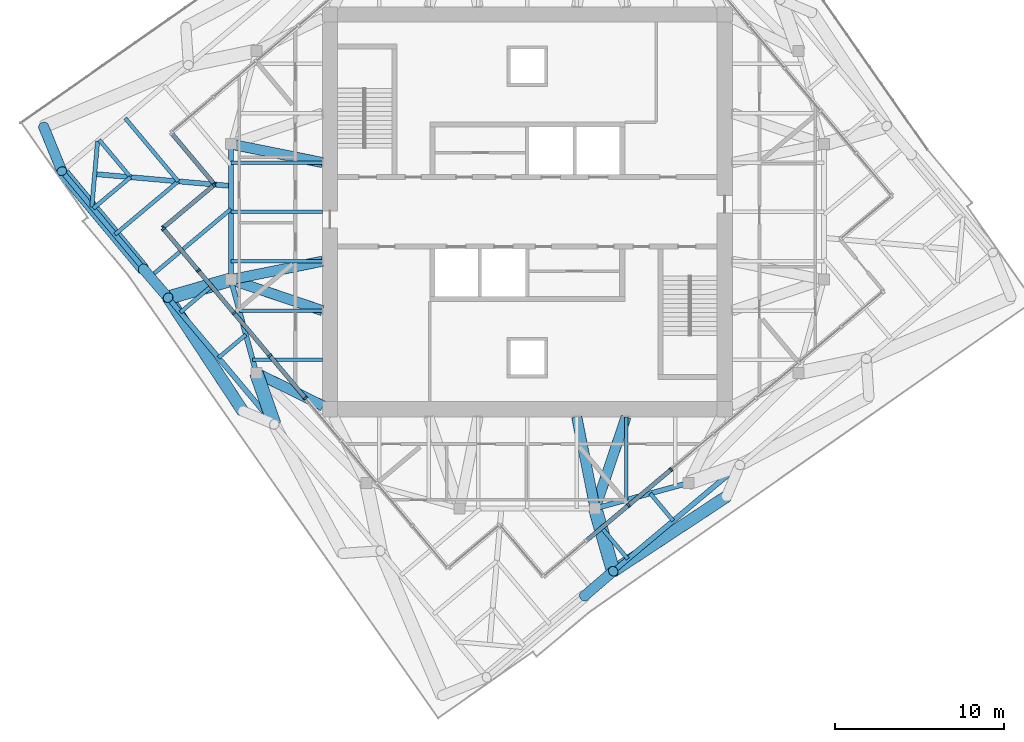
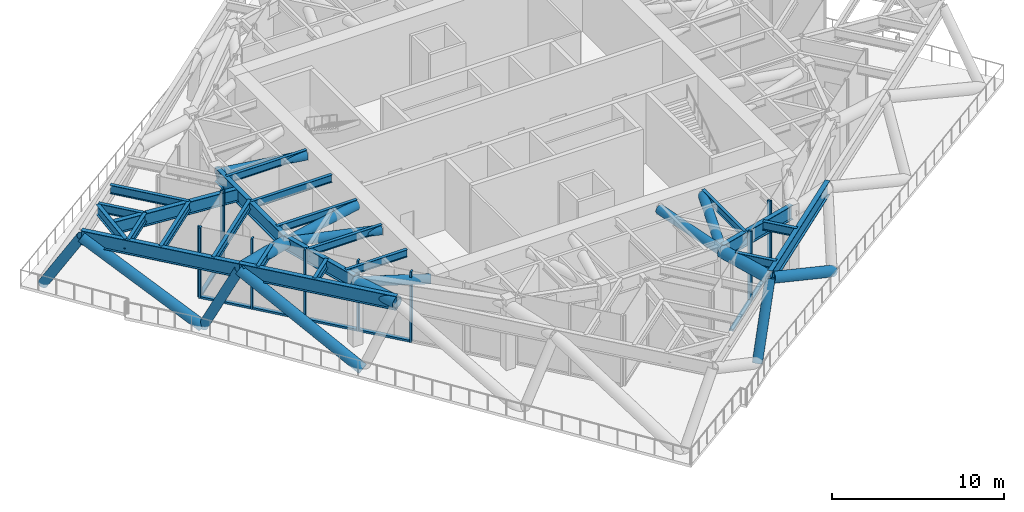
# One storey, part 2 of 15: 33 members, 23 beams, 4 elements without a shape of their own.
"""IFC4 building model written with IfcOpenShell, lengths in metres."""

from ifc_helpers import new_model, si_unit, direction, frame, origin, origin_2d, place, context, subcontext, project, spatial, rectangle, hollow_circle, i_section, extrude, material, material_profile, profile_set, type_object, element, aggregate, save


model = new_model("IFC4")

# Units and contexts
model_context = context("Model", 3, precision=1e-05, world=origin(), true_north=direction((0.0, 1.0)))
body_context = subcontext(model_context, "Body", "Model", "MODEL_VIEW")
ifc_project = project(units=[si_unit("LENGTHUNIT", "METRE"), si_unit("AREAUNIT", "SQUARE_METRE"), si_unit("VOLUMEUNIT", "CUBIC_METRE"), si_unit("PLANEANGLEUNIT", "RADIAN"), si_unit("MASSUNIT", "GRAM", prefix="KILO")], contexts=[model_context])

# Site, building, storey
site_placement = place(None, origin())
site = spatial("IfcSite", under=ifc_project, at=site_placement, CompositionType="ELEMENT")
building_placement = place(site_placement, origin())
building = spatial("IfcBuilding", under=site, at=building_placement, Name="Torsade Residences", CompositionType="ELEMENT")
storey_placement = place(building_placement, frame((0.0, 0.0, 267.60009765625)))
storey = spatial("IfcBuildingStorey", under=building, at=storey_placement, Name="L74", CompositionType="ELEMENT", Elevation=267.60009765625)

# Beams
ifc_material_1 = material(Name="Steel grade 300", Category="steel")
ifc_material_profile_1 = material_profile(ifc_material_1, i_section(OverallWidth=0.300048828125, OverallDepth=0.89990234375, WebThickness=0.011962890625, FlangeThickness=0.02490234375, at=origin_2d()), Name="900WB175")
ifc_profile_set_1 = profile_set([ifc_material_profile_1], Name="Steel grade 300")
beam_type_1 = type_object("IfcBeamType", Name="CORNER GIRDER 900WB175", PredefinedType="BEAM", material=ifc_profile_set_1)
beam_1_placement = place(storey_placement, frame((14.46484375, 32.234130859375, 4.39990234375), z_axis=(0.996193191806, -0.087172957961, 0.0), x_axis=(0.087172957961, 0.996193191806, 0.0)))
element("IfcBeam", 1, at=beam_1_placement, inside=storey, type_object=beam_type_1, Name="Corner girder 13 L75", PredefinedType="BEAM", context=body_context, shape_type="SweptSolid", body=[
    extrude(i_section(OverallWidth=0.300048828125, OverallDepth=0.89990234375, WebThickness=0.011962890625, FlangeThickness=0.02490234375, at=origin_2d()), origin(), (0.0, 0.0, 1.0), 8.06591796875),
])
ifc_material_2 = material(Name="Steel grade 300", Category="steel")
ifc_material_profile_2 = material_profile(ifc_material_2, i_section(OverallWidth=0.25, OverallDepth=0.699951171875, WebThickness=0.010009765625, FlangeThickness=0.02001953125, at=origin_2d()), Name="700WB130")
ifc_profile_set_2 = profile_set([ifc_material_profile_2], Name="Steel grade 300")
beam_type_2 = type_object("IfcBeamType", Name="CORNER TRIMMER 700WB130", PredefinedType="BEAM", material=ifc_profile_set_2)
beam_2_placement = place(storey_placement, frame((14.29541015625, 30.296875, 4.5), z_axis=(0.087133464362, 0.996196646947, 0.0), x_axis=(-0.996196646947, 0.087133464362, 0.0)))
element("IfcBeam", 2, at=beam_2_placement, inside=storey, type_object=beam_type_2, Name="Corner trimmer 13 L75", PredefinedType="BEAM", context=body_context, shape_type="SweptSolid", body=[
    extrude(i_section(OverallWidth=0.25, OverallDepth=0.699951171875, WebThickness=0.010009765625, FlangeThickness=0.02001953125, at=origin_2d()), origin(), (0.0, 0.0, 1.0), 3.88916015625),
])

# Curtain wall, members
ifc_material_3 = material(Name="Aluminium and glass", Category="aluminium")
curtain_wall_type = type_object("IfcCurtainWallType", Name="TRANSFER LEVEL CURTAIN WALL HIGH ZONE", PredefinedType="NOTDEFINED", material=ifc_material_3)
curtain_wall_1_placement = place(storey_placement, origin())
curtain_wall_1 = element("IfcCurtainWall", 3, at=curtain_wall_1_placement, inside=storey, type_object=curtain_wall_type, Name="Curtain wall L74 face 1", PredefinedType="NOTDEFINED")
ifc_material_4 = material(Name="Aluminium mullion", Category="aluminium")
ifc_material_profile_3 = material_profile(ifc_material_4, rectangle(XDim=0.25, YDim=0.1201171875, at=origin_2d()), Name="HIGH ZONE TRANSFER CURTAIN WALL MULLION 250x120")
ifc_profile_set_3 = profile_set([ifc_material_profile_3], Name="Aluminium mullion")
member_type_1 = type_object("IfcMemberType", Name="HIGH ZONE TRANSFER CURTAIN WALL MULLION 250x120", PredefinedType="MULLION", material=ifc_profile_set_3)
member_1_placement = place(storey_placement, frame((45.97412109375, 12.6904296875, 0.0), z_axis=(0.0, 0.0, 1.0), x_axis=(-0.642787631413, 0.766044424888, 0.0)))
member_1 = element("IfcMember", 4, at=member_1_placement, type_object=member_type_1, Name="Mullion 3", PredefinedType="MULLION", context=body_context, shape_type="SweptSolid", body=[
    extrude(rectangle(XDim=0.25, YDim=0.1201171875, at=origin_2d()), origin(), (0.0, 0.0, 1.0), 5.0),
])
member_2_placement = place(storey_placement, frame((48.48291015625, 14.79541015625, 0.0), z_axis=(0.0, 0.0, 1.0), x_axis=(-0.642787631413, 0.766044424888, 0.0)))
member_2 = element("IfcMember", 5, at=member_2_placement, type_object=member_type_1, Name="Mullion 4", PredefinedType="MULLION", context=body_context, shape_type="SweptSolid", body=[
    extrude(rectangle(XDim=0.25, YDim=0.1201171875, at=origin_2d()), origin(), (0.0, 0.0, 1.0), 5.0),
])

# Curtain wall, member
curtain_wall_2_placement = place(storey_placement, origin())
curtain_wall_2 = element("IfcCurtainWall", 6, at=curtain_wall_2_placement, inside=storey, type_object=curtain_wall_type, Name="Curtain wall L74 face 8", PredefinedType="NOTDEFINED")
member_3_placement = place(storey_placement, frame((21.505615234375, 31.66064453125, 0.0), z_axis=(0.0, 0.0, 1.0), x_axis=(0.766044417338, 0.642787640411, 0.0)))
member_3 = element("IfcMember", 7, at=member_3_placement, type_object=member_type_1, Name="Mullion 2", PredefinedType="MULLION", context=body_context, shape_type="SweptSolid", body=[
    extrude(rectangle(XDim=0.25, YDim=0.1201171875, at=origin_2d()), origin(), (0.0, 0.0, 1.0), 5.0),
])

# Curtain wall, members
curtain_wall_3_placement = place(storey_placement, origin())
curtain_wall_3 = element("IfcCurtainWall", 8, at=curtain_wall_3_placement, inside=storey, type_object=curtain_wall_type, Name="Curtain wall L74 face 9", PredefinedType="NOTDEFINED")
member_4_placement = place(storey_placement, frame((21.498291015625, 31.576171875, 0.0), z_axis=(0.0, 0.0, 1.0), x_axis=(0.642787664022, -0.766044397526, 0.0)))
member_4 = element("IfcMember", 9, at=member_4_placement, type_object=member_type_1, Name="Mullion 1", PredefinedType="MULLION", context=body_context, shape_type="SweptSolid", body=[
    extrude(rectangle(XDim=0.25, YDim=0.1201171875, at=origin_2d()), origin(), (0.0, 0.0, 1.0), 5.0),
])
member_5_placement = place(storey_placement, frame((18.526123046875, 29.08203125, 0.0), z_axis=(0.0, 0.0, 1.0), x_axis=(0.642787664022, -0.766044397526, 0.0)))
member_5 = element("IfcMember", 10, at=member_5_placement, type_object=member_type_1, Name="Mullion 2", PredefinedType="MULLION", context=body_context, shape_type="SweptSolid", body=[
    extrude(rectangle(XDim=0.25, YDim=0.1201171875, at=origin_2d()), origin(), (0.0, 0.0, 1.0), 5.0),
])

curtain_wall_4_placement = place(storey_placement, origin())
curtain_wall_4 = element("IfcCurtainWall", 11, at=curtain_wall_4_placement, inside=storey, type_object=curtain_wall_type, Name="Curtain wall L74 face 10", PredefinedType="NOTDEFINED")
member_6_placement = place(storey_placement, frame((18.518798828125, 28.99755859375, 0.0), z_axis=(0.0, 0.0, 1.0), x_axis=(0.766044424888, 0.642787631413, 0.0)))
member_6 = element("IfcMember", 12, at=member_6_placement, type_object=member_type_1, Name="Mullion 1", PredefinedType="MULLION", context=body_context, shape_type="SweptSolid", body=[
    extrude(rectangle(XDim=0.25, YDim=0.1201171875, at=origin_2d()), origin(), (0.0, 0.0, 1.0), 5.0),
])
member_7_placement = place(storey_placement, frame((20.585205078125, 26.53466796875, 0.0), z_axis=(0.0, 0.0, 1.0), x_axis=(0.766044424888, 0.642787631413, 0.0)))
member_7 = element("IfcMember", 13, at=member_7_placement, type_object=member_type_1, Name="Mullion 2", PredefinedType="MULLION", context=body_context, shape_type="SweptSolid", body=[
    extrude(rectangle(XDim=0.25, YDim=0.1201171875, at=origin_2d()), origin(), (0.0, 0.0, 1.0), 5.0),
])
member_8_placement = place(storey_placement, frame((22.6904296875, 24.02587890625, 0.0), z_axis=(0.0, 0.0, 1.0), x_axis=(0.766044424888, 0.642787631413, 0.0)))
member_8 = element("IfcMember", 14, at=member_8_placement, type_object=member_type_1, Name="Mullion 3", PredefinedType="MULLION", context=body_context, shape_type="SweptSolid", body=[
    extrude(rectangle(XDim=0.25, YDim=0.1201171875, at=origin_2d()), origin(), (0.0, 0.0, 1.0), 5.0),
])
member_9_placement = place(storey_placement, frame((24.79541015625, 21.51708984375, 0.0), z_axis=(0.0, 0.0, 1.0), x_axis=(0.766044424888, 0.642787631413, 0.0)))
member_9 = element("IfcMember", 15, at=member_9_placement, type_object=member_type_1, Name="Mullion 4", PredefinedType="MULLION", context=body_context, shape_type="SweptSolid", body=[
    extrude(rectangle(XDim=0.25, YDim=0.1201171875, at=origin_2d()), origin(), (0.0, 0.0, 1.0), 5.0),
])
member_10_placement = place(storey_placement, frame((26.900634765625, 19.00830078125, 0.0), z_axis=(0.0, 0.0, 1.0), x_axis=(0.766044424888, 0.642787631413, 0.0)))
member_10 = element("IfcMember", 16, at=member_10_placement, type_object=member_type_1, Name="Mullion 5", PredefinedType="MULLION", context=body_context, shape_type="SweptSolid", body=[
    extrude(rectangle(XDim=0.25, YDim=0.1201171875, at=origin_2d()), origin(), (0.0, 0.0, 1.0), 5.0),
])

# Member
ifc_material_5 = material(Name="Aluminium transom", Category="aluminium")
ifc_material_profile_4 = material_profile(ifc_material_5, rectangle(XDim=0.25, YDim=0.139892578125, at=origin_2d()), Name="HIGH ZONE TRANSFER CURTAIN WALL TRANSOM 250x140")
ifc_profile_set_4 = profile_set([ifc_material_profile_4], Name="Aluminium transom")
member_type_2 = type_object("IfcMemberType", Name="HIGH ZONE TRANSFER CURTAIN WALL TRANSOM 250x140", PredefinedType="USERDEFINED", material=ifc_profile_set_4)
member_11_placement = place(storey_placement, frame((43.51123046875, 10.623779296875, 0.06982421875), z_axis=(0.766047733122, 0.642783688793, 0.0), x_axis=(-0.642783688793, 0.766047733122, 0.0)))
member_11 = element("IfcMember", 17, at=member_11_placement, type_object=member_type_2, Name="Transom 2.1", ObjectType="TRANSOM", PredefinedType="USERDEFINED", context=body_context, shape_type="SweptSolid", body=[
    extrude(rectangle(XDim=0.25, YDim=0.139892578125, at=origin_2d()), origin(), (0.0, 0.0, 1.0), 3.155029296875),
])

member_12_placement = place(storey_placement, frame((46.02001953125, 12.72900390625, 0.06982421875), z_axis=(0.766085835105, 0.642738277412, 0.0), x_axis=(-0.642738277412, 0.766085835105, 0.0)))
member_12 = element("IfcMember", 18, at=member_12_placement, type_object=member_type_2, Name="Transom 3.1", ObjectType="TRANSOM", PredefinedType="USERDEFINED", context=body_context, shape_type="SweptSolid", body=[
    extrude(rectangle(XDim=0.25, YDim=0.139892578125, at=origin_2d()), origin(), (0.0, 0.0, 1.0), 3.155029296875),
])

aggregate(curtain_wall_1, [member_1, member_2, member_11, member_12])

member_13_placement = place(storey_placement, frame((19.05029296875, 34.5869140625, 0.06982421875), z_axis=(0.642799137433, -0.766034770044, 0.0), x_axis=(0.766034770044, 0.642799137433, 0.0)))
member_13 = element("IfcMember", 19, at=member_13_placement, type_object=member_type_2, Name="Transom 1.1", ObjectType="TRANSOM", PredefinedType="USERDEFINED", context=body_context, shape_type="SweptSolid", body=[
    extrude(rectangle(XDim=0.25, YDim=0.139892578125, at=origin_2d()), origin(), (0.0, 0.0, 1.0), 3.760009765625),
])

aggregate(curtain_wall_2, [member_3, member_13])

member_14_placement = place(storey_placement, frame((21.452392578125, 31.53759765625, 0.06982421875), z_axis=(-0.766034770044, -0.642799137433, 0.0), x_axis=(0.642799137433, -0.766034770044, 0.0)))
member_14 = element("IfcMember", 20, at=member_14_placement, type_object=member_type_2, Name="Transom 1.1", ObjectType="TRANSOM", PredefinedType="USERDEFINED", context=body_context, shape_type="SweptSolid", body=[
    extrude(rectangle(XDim=0.25, YDim=0.139892578125, at=origin_2d()), origin(), (0.0, 0.0, 1.0), 3.760009765625),
])

aggregate(curtain_wall_3, [member_4, member_5, member_14])

member_15_placement = place(storey_placement, frame((18.557373046875, 28.95166015625, 0.06982421875), z_axis=(0.642725782483, -0.766096318051, 0.0), x_axis=(0.766096318051, 0.642725782483, 0.0)))
member_15 = element("IfcMember", 21, at=member_15_placement, type_object=member_type_2, Name="Transom 1.1", ObjectType="TRANSOM", PredefinedType="USERDEFINED", context=body_context, shape_type="SweptSolid", body=[
    extrude(rectangle(XDim=0.25, YDim=0.139892578125, at=origin_2d()), origin(), (0.0, 0.0, 1.0), 3.094970703125),
])

member_16_placement = place(storey_placement, frame((20.623779296875, 26.48876953125, 0.06982421875), z_axis=(0.642783688793, -0.766047733122, 0.0), x_axis=(0.766047733122, 0.642783688793, 0.0)))
member_16 = element("IfcMember", 22, at=member_16_placement, type_object=member_type_2, Name="Transom 2.1", ObjectType="TRANSOM", PredefinedType="USERDEFINED", context=body_context, shape_type="SweptSolid", body=[
    extrude(rectangle(XDim=0.25, YDim=0.139892578125, at=origin_2d()), origin(), (0.0, 0.0, 1.0), 3.155029296875),
])

member_17_placement = place(storey_placement, frame((22.72900390625, 23.97998046875, 0.06982421875), z_axis=(0.642738277412, -0.766085835105, 0.0), x_axis=(0.766085835105, 0.642738277412, 0.0)))
member_17 = element("IfcMember", 23, at=member_17_placement, type_object=member_type_2, Name="Transom 3.1", ObjectType="TRANSOM", PredefinedType="USERDEFINED", context=body_context, shape_type="SweptSolid", body=[
    extrude(rectangle(XDim=0.25, YDim=0.139892578125, at=origin_2d()), origin(), (0.0, 0.0, 1.0), 3.155029296875),
])

member_18_placement = place(storey_placement, frame((24.833984375, 21.47119140625, 0.06982421875), z_axis=(0.642783688793, -0.766047733122, 0.0), x_axis=(0.766047733122, 0.642783688793, 0.0)))
member_18 = element("IfcMember", 24, at=member_18_placement, type_object=member_type_2, Name="Transom 4.1", ObjectType="TRANSOM", PredefinedType="USERDEFINED", context=body_context, shape_type="SweptSolid", body=[
    extrude(rectangle(XDim=0.25, YDim=0.139892578125, at=origin_2d()), origin(), (0.0, 0.0, 1.0), 3.155029296875),
])

aggregate(curtain_wall_4, [member_6, member_7, member_8, member_9, member_10, member_15, member_16, member_17, member_18])

# Beams
ifc_material_6 = material(Name="Steel grade 300", Category="steel")
ifc_material_profile_5 = material_profile(ifc_material_6, i_section(OverallWidth=0.208984375, OverallDepth=0.528076171875, WebThickness=0.009521484375, FlangeThickness=0.01318359375, FilletRadius=0.013916015625, at=origin_2d()), Name="530UB82.0")
ifc_profile_set_5 = profile_set([ifc_material_profile_5], Name="Steel grade 300")
beam_type_3 = type_object("IfcBeamType", Name="INNER FLOOR BEAM 530UB82.0", PredefinedType="JOIST", material=ifc_profile_set_5)
beam_3_placement = place(storey_placement, frame((45.824951171875, 17.89990234375, 4.5859375), z_axis=(0.0, -1.0, 0.0), x_axis=(1.0, 0.0, 0.0)))
element("IfcBeam", 25, at=beam_3_placement, inside=storey, type_object=beam_type_3, Name="Inner floor beam IS02 L75", PredefinedType="JOIST", context=body_context, shape_type="SweptSolid", body=[
    extrude(i_section(OverallWidth=0.208984375, OverallDepth=0.528076171875, WebThickness=0.009521484375, FlangeThickness=0.01318359375, FilletRadius=0.013916015625, at=origin_2d()), origin(), (0.0, 0.0, 1.0), 4.902099609375),
])
for number, where, z_axis, x_axis, name in (
    (26, (27.89990234375, 32.91259765625, 4.5859375), (-1.0, 0.0, 0.0), (0.0, -1.0, 0.0), "Inner floor beam IW03 L75"),
    (27, (27.89990234375, 30.0, 4.5859375), (-1.0, 0.0, 0.0), (0.0, -1.0, 0.0), "Inner floor beam IW04 L75"),
    (28, (27.89990234375, 27.08740234375, 4.5859375), (-1.0, 0.0, 0.0), (0.0, -1.0, 0.0), "Inner floor beam IW05 L75"),
):
    element("IfcBeam", number, at=place(storey_placement, frame(where, z_axis=z_axis, x_axis=x_axis)), inside=storey, type_object=beam_type_3, Name=name, PredefinedType="JOIST", context=body_context, shape_type="SweptSolid", body=[
        extrude(i_section(OverallWidth=0.208984375, OverallDepth=0.528076171875, WebThickness=0.009521484375, FlangeThickness=0.01318359375, FilletRadius=0.013916015625, at=origin_2d()), origin(), (0.0, 0.0, 1.0), 5.39990234375),
    ])
beam_4_placement = place(storey_placement, frame((27.89990234375, 24.175048828125, 4.5859375), z_axis=(-1.0, 0.0, 0.0), x_axis=(0.0, -1.0, 0.0)))
element("IfcBeam", 29, at=beam_4_placement, inside=storey, type_object=beam_type_3, Name="Inner floor beam IW06 L75", PredefinedType="JOIST", context=body_context, shape_type="SweptSolid", body=[
    extrude(i_section(OverallWidth=0.208984375, OverallDepth=0.528076171875, WebThickness=0.009521484375, FlangeThickness=0.01318359375, FilletRadius=0.013916015625, at=origin_2d()), origin(), (0.0, 0.0, 1.0), 4.902099609375),
])
beam_5_placement = place(storey_placement, frame((27.89990234375, 21.262451171875, 4.5859375), z_axis=(-1.0, 0.0, 0.0), x_axis=(0.0, -1.0, 0.0)))
element("IfcBeam", 30, at=beam_5_placement, inside=storey, type_object=beam_type_3, Name="Inner floor beam IW07 L75", PredefinedType="JOIST", context=body_context, shape_type="SweptSolid", body=[
    extrude(i_section(OverallWidth=0.208984375, OverallDepth=0.528076171875, WebThickness=0.009521484375, FlangeThickness=0.01318359375, FilletRadius=0.013916015625, at=origin_2d()), origin(), (0.0, 0.0, 1.0), 4.10791015625),
])
ifc_material_7 = material(Name="Steel grade 300", Category="steel")
ifc_material_profile_6 = material_profile(ifc_material_7, i_section(OverallWidth=0.300048828125, OverallDepth=1.0, WebThickness=0.01611328125, FlangeThickness=0.028076171875, at=origin_2d()), Name="1000WB215")
ifc_profile_set_6 = profile_set([ifc_material_profile_6], Name="Steel grade 300")
beam_type_4 = type_object("IfcBeamType", Name="RING GIRDER 1000WB215", PredefinedType="BEAM", material=ifc_profile_set_6)
beam_6_placement = place(storey_placement, frame((22.5, 34.0, 4.349853515625), z_axis=(0.0, -1.0, 0.0), x_axis=(1.0, 0.0, 0.0)))
element("IfcBeam", 31, at=beam_6_placement, inside=storey, type_object=beam_type_4, Name="Ring girder IR09 L75", PredefinedType="BEAM", context=body_context, shape_type="SweptSolid", body=[
    extrude(i_section(OverallWidth=0.300048828125, OverallDepth=1.0, WebThickness=0.01611328125, FlangeThickness=0.028076171875, at=origin_2d()), origin(), (0.0, 0.0, 1.0), 8.0),
])
for number, where, z_axis, x_axis, name in (
    (32, (22.5, 26.0, 4.349853515625), (0.263117405792, -0.964763821238, 0.0), (0.964763821238, 0.263117405792, 0.0), "Ring girder IR10 L75"),
    (33, (44.0, 12.5, 4.349853515625), (0.964763821238, 0.263117405792, 0.0), (-0.263117405792, 0.964763821238, 0.0), "Ring girder IR14 L75"),
):
    element("IfcBeam", number, at=place(storey_placement, frame(where, z_axis=z_axis, x_axis=x_axis)), inside=storey, type_object=beam_type_4, Name=name, PredefinedType="BEAM", context=body_context, shape_type="SweptSolid", body=[
        extrude(i_section(OverallWidth=0.300048828125, OverallDepth=1.0, WebThickness=0.01611328125, FlangeThickness=0.028076171875, at=origin_2d()), origin(), (0.0, 0.0, 1.0), 5.700927734375),
    ])
ifc_material_8 = material(Name="Steel grade 300", Category="steel")
ifc_material_profile_7 = material_profile(ifc_material_8, i_section(OverallWidth=0.22900390625, OverallDepth=0.612060546875, WebThickness=0.011962890625, FlangeThickness=0.01953125, FilletRadius=0.013916015625, at=origin_2d()), Name="610UB125")
ifc_profile_set_7 = profile_set([ifc_material_profile_7], Name="Steel grade 300")
beam_type_5 = type_object("IfcBeamType", Name="SECONDARY BEAM 610UB125", PredefinedType="JOIST", material=ifc_profile_set_7)
beam_7_placement = place(storey_placement, frame((45.92724609375, 9.51806640625, 4.5439453125), z_axis=(-0.642751024148, 0.766075140542, 0.0), x_axis=(-0.766075140542, -0.642751024148, 0.0)))
element("IfcBeam", 34, at=beam_7_placement, inside=storey, type_object=beam_type_5, Name="Floor beam FS04 L75", PredefinedType="JOIST", context=body_context, shape_type="SweptSolid", body=[
    extrude(i_section(OverallWidth=0.22900390625, OverallDepth=0.612060546875, WebThickness=0.011962890625, FlangeThickness=0.01953125, FilletRadius=0.013916015625, at=origin_2d()), origin(), (0.0, 0.0, 1.0), 2.531982421875),
])
beam_8_placement = place(storey_placement, frame((48.6083984375, 11.767822265625, 4.5439453125), z_axis=(-0.642771977004, 0.766057560226, 0.0), x_axis=(-0.766057560226, -0.642771977004, 0.0)))
element("IfcBeam", 35, at=beam_8_placement, inside=storey, type_object=beam_type_5, Name="Floor beam FS05 L75", PredefinedType="JOIST", context=body_context, shape_type="SweptSolid", body=[
    extrude(i_section(OverallWidth=0.22900390625, OverallDepth=0.612060546875, WebThickness=0.011962890625, FlangeThickness=0.01953125, FilletRadius=0.013916015625, at=origin_2d()), origin(), (0.0, 0.0, 1.0), 2.113037109375),
])
beam_9_placement = place(storey_placement, frame((16.26220703125, 35.537109375, 4.5439453125), z_axis=(0.642791490223, -0.766041186946, 0.0), x_axis=(0.766041186946, 0.642791490223, 0.0)))
element("IfcBeam", 36, at=beam_9_placement, inside=storey, type_object=beam_type_5, Name="Floor beam FN11 L75", PredefinedType="JOIST", context=body_context, shape_type="SweptSolid", body=[
    extrude(i_section(OverallWidth=0.22900390625, OverallDepth=0.612060546875, WebThickness=0.011962890625, FlangeThickness=0.01953125, FilletRadius=0.013916015625, at=origin_2d()), origin(), (0.0, 0.0, 1.0), 4.875),
])
for number, where, z_axis, x_axis, name in (
    (37, (14.730224609375, 34.25146484375, 4.5439453125), (0.642761807001, -0.766066093402, 0.0), (0.766066093402, 0.642761807001, 0.0), "Floor beam FN12 L75"),
    (38, (14.375732421875, 30.201171875, 4.5439453125), (0.766066093402, 0.642761807001, 0.0), (-0.642761807001, 0.766066093402, 0.0), "Floor beam FW01 L75"),
):
    element("IfcBeam", number, at=place(storey_placement, frame(where, z_axis=z_axis, x_axis=x_axis)), inside=storey, type_object=beam_type_5, Name=name, PredefinedType="JOIST", context=body_context, shape_type="SweptSolid", body=[
        extrude(i_section(OverallWidth=0.22900390625, OverallDepth=0.612060546875, WebThickness=0.011962890625, FlangeThickness=0.01953125, FilletRadius=0.013916015625, at=origin_2d()), origin(), (0.0, 0.0, 1.0), 2.875),
    ])
beam_10_placement = place(storey_placement, frame((15.661376953125, 28.6689453125, 4.5439453125), z_axis=(0.766016526982, 0.642820877376, 0.0), x_axis=(-0.642820877376, 0.766016526982, 0.0)))
element("IfcBeam", 39, at=beam_10_placement, inside=storey, type_object=beam_type_5, Name="Floor beam FW02 L75", PredefinedType="JOIST", context=body_context, shape_type="SweptSolid", body=[
    extrude(i_section(OverallWidth=0.22900390625, OverallDepth=0.612060546875, WebThickness=0.011962890625, FlangeThickness=0.01953125, FilletRadius=0.013916015625, at=origin_2d()), origin(), (0.0, 0.0, 1.0), 4.875),
])
beam_11_placement = place(storey_placement, frame((17.75048828125, 26.179443359375, 4.5439453125), z_axis=(0.766041422722, 0.642791209238, 0.0), x_axis=(-0.642791209238, 0.766041422722, 0.0)))
element("IfcBeam", 40, at=beam_11_placement, inside=storey, type_object=beam_type_5, Name="Floor beam FW03 L75", PredefinedType="JOIST", context=body_context, shape_type="SweptSolid", body=[
    extrude(i_section(OverallWidth=0.22900390625, OverallDepth=0.612060546875, WebThickness=0.011962890625, FlangeThickness=0.01953125, FilletRadius=0.013916015625, at=origin_2d()), origin(), (0.0, 0.0, 1.0), 6.199951171875),
])
beam_12_placement = place(storey_placement, frame((19.51806640625, 24.07275390625, 4.5439453125), z_axis=(0.766075140542, 0.642751024148, 0.0), x_axis=(-0.642751024148, 0.766075140542, 0.0)))
element("IfcBeam", 41, at=beam_12_placement, inside=storey, type_object=beam_type_5, Name="Floor beam FW04 L75", PredefinedType="JOIST", context=body_context, shape_type="SweptSolid", body=[
    extrude(i_section(OverallWidth=0.22900390625, OverallDepth=0.612060546875, WebThickness=0.011962890625, FlangeThickness=0.01953125, FilletRadius=0.013916015625, at=origin_2d()), origin(), (0.0, 0.0, 1.0), 2.531982421875),
])
beam_13_placement = place(storey_placement, frame((21.767822265625, 21.3916015625, 4.5439453125), z_axis=(0.766057560226, 0.642771977004, 0.0), x_axis=(-0.642771977004, 0.766057560226, 0.0)))
element("IfcBeam", 42, at=beam_13_placement, inside=storey, type_object=beam_type_5, Name="Floor beam FW05 L75", PredefinedType="JOIST", context=body_context, shape_type="SweptSolid", body=[
    extrude(i_section(OverallWidth=0.22900390625, OverallDepth=0.612060546875, WebThickness=0.011962890625, FlangeThickness=0.01953125, FilletRadius=0.013916015625, at=origin_2d()), origin(), (0.0, 0.0, 1.0), 2.113037109375),
])

# Members
ifc_material_9 = material(Name="Steel grade 450", Category="steel")
ifc_material_profile_8 = material_profile(ifc_material_9, hollow_circle(Radius=0.304931640625, WallThickness=0.01611328125, at=origin_2d()), Name="610.0x16.0CHS")
ifc_profile_set_8 = profile_set([ifc_material_profile_8], Name="Steel grade 450")
member_type_3 = type_object("IfcMemberType", Name="TRANSFER FLOOR BRACE 610.0x16.0CHS", PredefinedType="BRACE", material=ifc_profile_set_8)
for number, where, z_axis, x_axis, name in (
    (43, (22.5, 34.0, 4.349853515625), (0.980201418973, -0.197387517864, 0.015599552377), (0.197411538983, 0.980320704809, 0.0), "Transfer floor brace TT8 top IR09IW03"),
    (44, (22.5, 26.0, 4.349853515625), (0.980201418973, 0.197387517864, 0.015599552377), (-0.197411538983, 0.980320704809, 0.0), "Transfer floor brace TT8 top IR10IW05"),
):
    element("IfcMember", number, at=place(storey_placement, frame(where, z_axis=z_axis, x_axis=x_axis)), inside=storey, type_object=member_type_3, Name=name, PredefinedType="BRACE", context=body_context, shape_type="SweptSolid", body=[
        extrude(hollow_circle(Radius=0.304931640625, WallThickness=0.01611328125, at=origin_2d()), origin(), (0.0, 0.0, 1.0), 5.509033203125),
    ])
member_19_placement = place(storey_placement, frame((22.5, 26.0, 4.349853515625), z_axis=(0.947252495944, -0.320133484365, 0.01507518214), x_axis=(0.320169867513, 0.947360151124, 0.0)))
element("IfcMember", 45, at=member_19_placement, inside=storey, type_object=member_type_3, Name="Transfer floor brace TT8 top IR10IW06", PredefinedType="BRACE", context=body_context, shape_type="SweptSolid", body=[
    extrude(hollow_circle(Radius=0.304931640625, WallThickness=0.01611328125, at=origin_2d()), origin(), (0.0, 0.0, 1.0), 5.70068359375),
])
member_20_placement = place(storey_placement, frame((24.0, 20.5, 4.349853515625), z_axis=(0.896469701914, -0.443105036702, 0.0), x_axis=(0.443105036702, 0.896469701914, 0.0)))
element("IfcMember", 46, at=member_20_placement, inside=storey, type_object=member_type_3, Name="Transfer floor brace TT8 top IR11C", PredefinedType="BRACE", context=body_context, shape_type="SweptSolid", body=[
    extrude(hollow_circle(Radius=0.304931640625, WallThickness=0.01611328125, at=origin_2d()), origin(), (0.0, 0.0, 1.0), 4.40234375),
])
member_21_placement = place(storey_placement, frame((44.0, 12.5, 4.349853515625), z_axis=(-0.197387517864, 0.980201418973, 0.015599552377), x_axis=(-0.980320704809, -0.197411538983, 0.0)))
element("IfcMember", 47, at=member_21_placement, inside=storey, type_object=member_type_3, Name="Transfer floor brace TT8 top IR14IS03", PredefinedType="BRACE", context=body_context, shape_type="SweptSolid", body=[
    extrude(hollow_circle(Radius=0.304931640625, WallThickness=0.01611328125, at=origin_2d()), origin(), (0.0, 0.0, 1.0), 5.509033203125),
])
member_22_placement = place(storey_placement, frame((44.0, 12.5, 4.349853515625), z_axis=(0.320133484365, 0.947252495944, 0.01507518214), x_axis=(-0.947360151124, 0.320169867513, 0.0)))
element("IfcMember", 48, at=member_22_placement, inside=storey, type_object=member_type_3, Name="Transfer floor brace TT8 top IR14IS02", PredefinedType="BRACE", context=body_context, shape_type="SweptSolid", body=[
    extrude(hollow_circle(Radius=0.304931640625, WallThickness=0.01611328125, at=origin_2d()), origin(), (0.0, 0.0, 1.0), 5.70068359375),
])
ifc_material_10 = material(Name="Steel grade 450", Category="steel")
ifc_material_profile_9 = material_profile(ifc_material_10, hollow_circle(Radius=0.406494140625, WallThickness=0.02490234375, at=origin_2d()), Name="813.0x25.0CHS")
ifc_profile_set_9 = profile_set([ifc_material_profile_9], Name="Steel grade 450")
member_type_4 = type_object("IfcMemberType", Name="TRANSFER FLOOR STRUT 813.0x25.0CHS", PredefinedType="STRUT", material=ifc_profile_set_9)
for number, where, z_axis, x_axis, name in (
    (49, (45.0654296875, 8.794921875, 4.349853515625), (-0.276360067688, 0.961054167561, 0.0), (-0.961054167561, -0.276360067688, 0.0), "Transfer floor strut TT8 top 02IR14"),
    (50, (18.794921875, 24.9345703125, 4.349853515625), (0.961054167561, 0.276360067688, 0.0), (-0.276360067688, 0.961054167561, 0.0), "Transfer floor strut TT8 top 14IR10"),
):
    element("IfcMember", number, at=place(storey_placement, frame(where, z_axis=z_axis, x_axis=x_axis)), inside=storey, type_object=member_type_4, Name=name, PredefinedType="STRUT", context=body_context, shape_type="SweptSolid", body=[
        extrude(hollow_circle(Radius=0.406494140625, WallThickness=0.02490234375, at=origin_2d()), origin(), (0.0, 0.0, 1.0), 3.855224609375),
    ])
member_23_placement = place(storey_placement, frame((25.06201171875, 17.465576171875, 4.349853515625), z_axis=(-0.330340276786, 0.943861908085, 0.0), x_axis=(-0.943861908085, -0.330340276786, 0.0)))
element("IfcMember", 51, at=member_23_placement, inside=storey, type_object=member_type_4, Name="Transfer floor strut TT8 top 15IR11", PredefinedType="STRUT", context=body_context, shape_type="SweptSolid", body=[
    extrude(hollow_circle(Radius=0.406494140625, WallThickness=0.02490234375, at=origin_2d()), origin(), (0.0, 0.0, 1.0), 3.21484375),
])

# Beams
ifc_material_11 = material(Name="Steel grade 300", Category="steel")
ifc_material_profile_10 = material_profile(ifc_material_11, i_section(OverallWidth=0.300048828125, OverallDepth=1.0, WebThickness=0.01611328125, FlangeThickness=0.028076171875, at=origin_2d()), Name="1000WB215")
ifc_profile_set_10 = profile_set([ifc_material_profile_10], Name="Steel grade 300")
beam_type_6 = type_object("IfcBeamType", Name="TRANSFER TRUSS CHORD 1000WB215", PredefinedType="USERDEFINED", material=ifc_profile_set_10)
for number, where, z_axis, x_axis, name in (
    (52, (45.0654296875, 8.794921875, 4.349853515625), (0.766051532934, 0.642779160279, 0.0), (-0.642779160279, 0.766051532934, 0.0), "Transfer truss TT8 top chord 02"),
    (53, (12.52783203125, 32.403564453125, 4.349853515625), (0.642779160279, -0.766051532934, 0.0), (0.766051532934, 0.642779160279, 0.0), "Transfer truss TT8 top chord 13"),
    (54, (18.794921875, 24.9345703125, 4.349853515625), (0.642779160279, -0.766051532934, 0.0), (0.766051532934, 0.642779160279, 0.0), "Transfer truss TT8 top chord 14"),
):
    element("IfcBeam", number, at=place(storey_placement, frame(where, z_axis=z_axis, x_axis=x_axis)), inside=storey, type_object=beam_type_6, Name=name, ObjectType="TRANSFER TRUSS CHORD", PredefinedType="USERDEFINED", context=body_context, shape_type="SweptSolid", body=[
        extrude(i_section(OverallWidth=0.300048828125, OverallDepth=1.0, WebThickness=0.01611328125, FlangeThickness=0.028076171875, at=origin_2d()), origin(), (0.0, 0.0, 1.0), 9.75),
    ])

# Members
ifc_material_12 = material(Name="Steel grade 450", Category="steel")
ifc_material_profile_11 = material_profile(ifc_material_12, hollow_circle(Radius=0.35546875, WallThickness=0.02001953125, at=origin_2d()), Name="711.0x20.0CHS")
ifc_profile_set_11 = profile_set([ifc_material_profile_11], Name="Steel grade 450")
member_type_5 = type_object("IfcMemberType", Name="TRANSFER TRUSS DIAGONAL 711.0x20.0CHS", PredefinedType="BRACE", material=ifc_profile_set_11)
member_24_placement = place(storey_placement, frame((51.75830078125, 13.207275390625, -0.2001953125), z_axis=(-0.726087611725, -0.478681746797, 0.493619859186), x_axis=(0.550412761868, -0.834892682668, 0.0)))
element("IfcMember", 55, at=member_24_placement, inside=storey, type_object=member_type_5, Name="Transfer truss TT8 diagonal 02", PredefinedType="BRACE", context=body_context, shape_type="SweptSolid", body=[
    extrude(hollow_circle(Radius=0.35546875, WallThickness=0.02001953125, at=origin_2d()), origin(), (0.0, 0.0, 1.0), 9.2177734375),
])
member_25_placement = place(storey_placement, frame((17.328125, 26.637939453125, -0.2001953125), z_axis=(-0.547086115712, 0.65710434893, 0.518565961679), x_axis=(-0.768509277568, -0.639838643951, 0.0)))
element("IfcMember", 56, at=member_25_placement, inside=storey, type_object=member_type_5, Name="Transfer truss TT8 diagonal 13", PredefinedType="BRACE", context=body_context, shape_type="SweptSolid", body=[
    extrude(hollow_circle(Radius=0.35546875, WallThickness=0.02001953125, at=origin_2d()), origin(), (0.0, 0.0, 1.0), 8.774169921875),
])
member_26_placement = place(storey_placement, frame((23.207275390625, 18.24169921875, -0.2001953125), z_axis=(-0.478681746797, 0.726087611725, 0.493619859186), x_axis=(-0.834892682668, -0.550412761868, 0.0)))
element("IfcMember", 57, at=member_26_placement, inside=storey, type_object=member_type_5, Name="Transfer truss TT8 diagonal 14", PredefinedType="BRACE", context=body_context, shape_type="SweptSolid", body=[
    extrude(hollow_circle(Radius=0.35546875, WallThickness=0.02001953125, at=origin_2d()), origin(), (0.0, 0.0, 1.0), 9.2177734375),
])
ifc_material_13 = material(Name="Steel grade 450", Category="steel")
ifc_material_profile_12 = material_profile(ifc_material_13, hollow_circle(Radius=0.304931640625, WallThickness=0.01611328125, at=origin_2d()), Name="610.0x16.0CHS")
ifc_profile_set_12 = profile_set([ifc_material_profile_12], Name="Steel grade 450")
member_type_6 = type_object("IfcMemberType", Name="TRANSFER TRUSS RAKING STRUT 610.0x16.0CHS", PredefinedType="STRUT", material=ifc_profile_set_12)
member_27_placement = place(storey_placement, frame((43.362060546875, 7.328125, -0.2001953125), z_axis=(0.335637422669, 0.28902245025, 0.896556492228), x_axis=(-0.652524867718, 0.757767310597, 0.0)))
element("IfcMember", 58, at=member_27_placement, inside=storey, type_object=member_type_6, Name="Transfer truss TT8 raking strut 02", PredefinedType="STRUT", context=body_context, shape_type="SweptSolid", body=[
    extrude(hollow_circle(Radius=0.304931640625, WallThickness=0.01611328125, at=origin_2d()), origin(), (0.0, 0.0, 1.0), 5.074951171875),
])
member_28_placement = place(storey_placement, frame((11.448974609375, 35.0341796875, -0.2001953125), z_axis=(0.201078549011, -0.490296756187, 0.848042751281), x_axis=(0.925214226894, 0.379445166464, 0.0)))
element("IfcMember", 59, at=member_28_placement, inside=storey, type_object=member_type_6, Name="Transfer truss TT8 raking strut 13", PredefinedType="STRUT", context=body_context, shape_type="SweptSolid", body=[
    extrude(hollow_circle(Radius=0.304931640625, WallThickness=0.01611328125, at=origin_2d()), origin(), (0.0, 0.0, 1.0), 5.365234375),
])
member_29_placement = place(storey_placement, frame((17.328125, 26.637939453125, -0.2001953125), z_axis=(0.28902245025, -0.335637422669, 0.896556492228), x_axis=(0.757767310597, 0.652524867718, 0.0)))
element("IfcMember", 60, at=member_29_placement, inside=storey, type_object=member_type_6, Name="Transfer truss TT8 raking strut 14", PredefinedType="STRUT", context=body_context, shape_type="SweptSolid", body=[
    extrude(hollow_circle(Radius=0.304931640625, WallThickness=0.01611328125, at=origin_2d()), origin(), (0.0, 0.0, 1.0), 5.074951171875),
])

save(model, "model.ifc")
